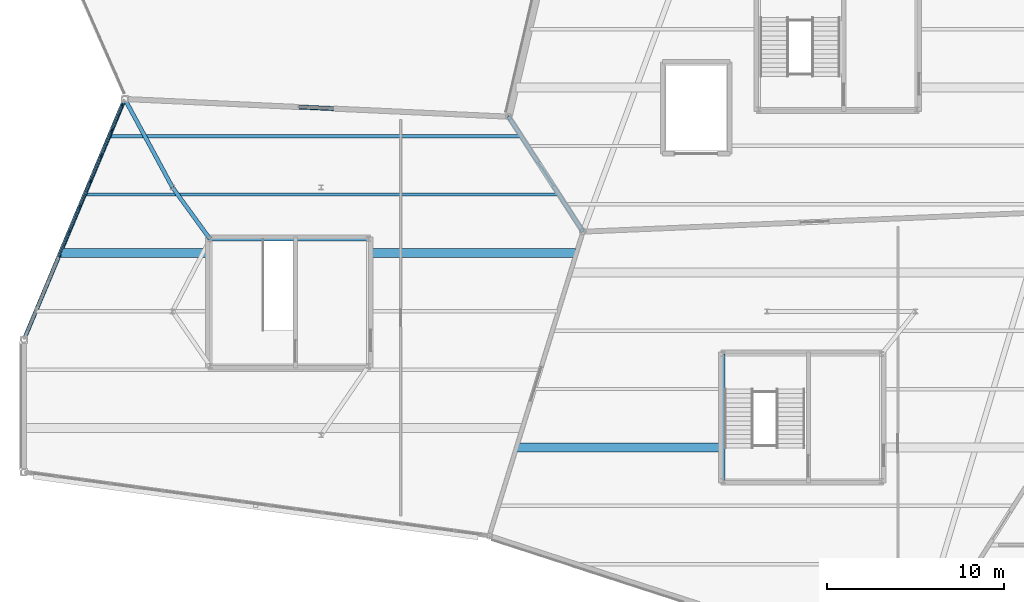
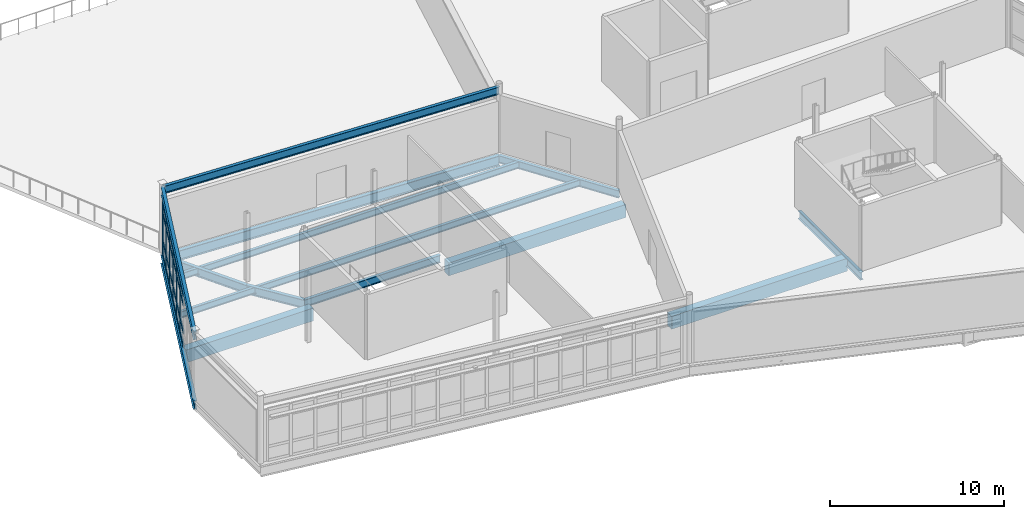
# One storey, part 44 of 114: 30 members, 14 beams, 1 element without a shape of its own.
"""IFC4 building model written with IfcOpenShell, lengths in metres."""

from ifc_helpers import new_model, si_unit, direction, frame, origin, origin_2d, place, context, subcontext, project, spatial, rectangle, i_section, extrude, material, material_profile, profile_set, type_object, element, aggregate, save


model = new_model("IFC4")

# Units and contexts
model_context = context("Model", 3, precision=1e-05, world=origin(), true_north=direction((0.0, 1.0)))
body_context = subcontext(model_context, "Body", "Model", "MODEL_VIEW")
ifc_project = project(units=[si_unit("LENGTHUNIT", "METRE"), si_unit("AREAUNIT", "SQUARE_METRE"), si_unit("VOLUMEUNIT", "CUBIC_METRE"), si_unit("PLANEANGLEUNIT", "RADIAN"), si_unit("MASSUNIT", "GRAM", prefix="KILO")], contexts=[model_context])

# Site, building, storey
site_placement = place(None, origin())
site = spatial("IfcSite", under=ifc_project, at=site_placement, CompositionType="ELEMENT")
building_placement = place(site_placement, origin())
building = spatial("IfcBuilding", under=site, at=building_placement, Name="Tameran Prism Museum", CompositionType="ELEMENT")
storey_placement = place(building_placement, frame((0.0, 0.0, 10.199951171875)))
storey = spatial("IfcBuildingStorey", under=building, at=storey_placement, Name="L02", CompositionType="ELEMENT", Elevation=10.199951171875)

# Beams
ifc_material_1 = material(Name="Steel Grade 300PLUS (300 MPa)", Category="steel")
ifc_material_profile_1 = material_profile(ifc_material_1, i_section(OverallWidth=0.19091796875, OverallDepth=0.4599609375, WebThickness=0.010009765625, FlangeThickness=0.01611328125, FilletRadius=0.011474609375, at=origin_2d()))
ifc_profile_set_1 = profile_set([ifc_material_profile_1])
beam_type_1 = type_object("IfcBeamType", Name="BM-J460A", PredefinedType="JOIST", material=ifc_profile_set_1)
beam_1_placement = place(storey_placement, frame((3.47998046875, 83.60009765625, -0.489990234375), z_axis=(1.0, 0.0, 0.0), x_axis=(0.0, 1.0, 0.0)))
element("IfcBeam", 1, at=beam_1_placement, inside=storey, type_object=beam_type_1, Name="Floor Beam BM-0931", PredefinedType="JOIST", context=body_context, shape_type="SweptSolid", body=[
    extrude(i_section(OverallWidth=0.19091796875, OverallDepth=0.4599609375, WebThickness=0.010009765625, FlangeThickness=0.01611328125, FilletRadius=0.011474609375, at=origin_2d()), origin(), (0.0, 0.0, 1.0), 26.715087890625),
])
beam_2_placement = place(storey_placement, frame((4.863037109375, 86.89990234375, -0.489990234375), z_axis=(1.0, 0.0, 0.0), x_axis=(0.0, 1.0, 0.0)))
element("IfcBeam", 2, at=beam_2_placement, inside=storey, type_object=beam_type_1, Name="Floor Beam BM-0932", PredefinedType="JOIST", context=body_context, shape_type="SweptSolid", body=[
    extrude(i_section(OverallWidth=0.19091796875, OverallDepth=0.4599609375, WebThickness=0.010009765625, FlangeThickness=0.01611328125, FilletRadius=0.011474609375, at=origin_2d()), origin(), (0.0, 0.0, 1.0), 23.199951171875),
])
ifc_material_2 = material(Name="Concrete N40 (40 MPa)", Category="concrete")
ifc_material_profile_2 = material_profile(ifc_material_2, rectangle(XDim=0.5, YDim=0.89990234375, at=origin_2d()))
ifc_profile_set_2 = profile_set([ifc_material_profile_2])
beam_type_2 = type_object("IfcBeamType", Name="BM-RC900", PredefinedType="BEAM", material=ifc_profile_set_2)
beam_3_placement = place(storey_placement, frame((27.883056640625, 69.300048828125, -0.7099609375), z_axis=(1.0, 0.0, 0.0), x_axis=(0.0, 1.0, 0.0)))
element("IfcBeam", 3, at=beam_3_placement, inside=storey, type_object=beam_type_2, Name="Floor Beam BM-0908", PredefinedType="BEAM", context=body_context, shape_type="SweptSolid", body=[
    extrude(rectangle(XDim=0.5, YDim=0.89990234375, at=origin_2d()), origin(), (0.0, 0.0, 1.0), 11.636962890625),
])
beam_4_placement = place(storey_placement, frame((2.096923828125, 80.300048828125, -0.7099609375), z_axis=(1.0, 0.0, 0.0), x_axis=(0.0, 1.0, 0.0)))
element("IfcBeam", 4, at=beam_4_placement, inside=storey, type_object=beam_type_2, Name="Floor Beam BM-0929", PredefinedType="BEAM", context=body_context, shape_type="SweptSolid", body=[
    extrude(rectangle(XDim=0.5, YDim=0.89990234375, at=origin_2d()), origin(), (0.0, 0.0, 1.0), 8.423095703125),
])
beam_5_placement = place(storey_placement, frame((19.47998046875, 80.300048828125, -0.7099609375), z_axis=(1.0, 0.0, 0.0), x_axis=(0.0, 1.0, 0.0)))
element("IfcBeam", 5, at=beam_5_placement, inside=storey, type_object=beam_type_2, Name="Floor Beam BM-0930", PredefinedType="BEAM", context=body_context, shape_type="SweptSolid", body=[
    extrude(rectangle(XDim=0.5, YDim=0.89990234375, at=origin_2d()), origin(), (0.0, 0.0, 1.0), 11.7080078125),
])
ifc_material_3 = material(Name="Steel Grade 300PLUS (300 MPa)", Category="steel")
ifc_material_profile_3 = material_profile(ifc_material_3, i_section(OverallWidth=0.208984375, OverallDepth=0.528076171875, WebThickness=0.009521484375, FlangeThickness=0.01318359375, FilletRadius=0.013916015625, at=origin_2d()))
ifc_profile_set_3 = profile_set([ifc_material_profile_3])
beam_type_3 = type_object("IfcBeamType", Name="BM-SP530B", PredefinedType="SPANDREL", material=ifc_profile_set_3)
beam_6_placement = place(storey_placement, frame((27.39990234375, 88.0, -0.52392578125), z_axis=(0.542733189748, -0.839905164138, 0.0), x_axis=(0.839905164138, 0.542733189748, 0.0)))
element("IfcBeam", 6, at=beam_6_placement, inside=storey, type_object=beam_type_3, Name="Perimeter Spandrel SP-0738", PredefinedType="SPANDREL", context=body_context, shape_type="SweptSolid", body=[
    extrude(i_section(OverallWidth=0.208984375, OverallDepth=0.528076171875, WebThickness=0.009521484375, FlangeThickness=0.01318359375, FilletRadius=0.013916015625, at=origin_2d()), origin(), (0.0, 0.0, 1.0), 7.739013671875),
])
beam_7_placement = place(storey_placement, frame((27.39990234375, 88.0, 4.2861328125), z_axis=(-0.998939864331, 0.046034198714, 0.0), x_axis=(-0.046034198714, -0.998939864331, 0.0)))
element("IfcBeam", 7, at=beam_7_placement, inside=storey, type_object=beam_type_3, Name="Roof Ring Beam RB-0746", PredefinedType="SPANDREL", context=body_context, shape_type="SweptSolid", body=[
    extrude(i_section(OverallWidth=0.208984375, OverallDepth=0.528076171875, WebThickness=0.009521484375, FlangeThickness=0.01318359375, FilletRadius=0.013916015625, at=origin_2d()), origin(), (0.0, 0.0, 1.0), 21.722900390625),
])
beam_8_placement = place(storey_placement, frame((5.699951171875, 89.0, 4.2861328125), z_axis=(-0.386535452216, -0.922274549242, 0.0), x_axis=(0.922274549242, -0.386535452216, 0.0)))
element("IfcBeam", 8, at=beam_8_placement, inside=storey, type_object=beam_type_3, Name="Roof Ring Beam RB-0747", PredefinedType="SPANDREL", context=body_context, shape_type="SweptSolid", body=[
    extrude(i_section(OverallWidth=0.208984375, OverallDepth=0.528076171875, WebThickness=0.009521484375, FlangeThickness=0.01318359375, FilletRadius=0.013916015625, at=origin_2d()), origin(), (0.0, 0.0, 1.0), 14.746337890625),
])
beam_9_placement = place(storey_placement, frame((39.52001953125, 74.580078125, -0.52392578125), z_axis=(0.0, -1.0, 0.0), x_axis=(1.0, 0.0, 0.0)))
element("IfcBeam", 9, at=beam_9_placement, inside=storey, type_object=beam_type_3, Name="Core Ring Beam CTB-0784", PredefinedType="SPANDREL", context=body_context, shape_type="SweptSolid", body=[
    extrude(i_section(OverallWidth=0.208984375, OverallDepth=0.528076171875, WebThickness=0.009521484375, FlangeThickness=0.01318359375, FilletRadius=0.013916015625, at=origin_2d()), origin(), (0.0, 0.0, 1.0), 7.16015625),
])
beam_10_placement = place(storey_placement, frame((19.47998046875, 81.080078125, -0.52392578125), z_axis=(-1.0, 0.0, 0.0), x_axis=(0.0, -1.0, 0.0)))
element("IfcBeam", 10, at=beam_10_placement, inside=storey, type_object=beam_type_3, Name="Core Ring Beam CTB-0791", PredefinedType="SPANDREL", context=body_context, shape_type="SweptSolid", body=[
    extrude(i_section(OverallWidth=0.208984375, OverallDepth=0.528076171875, WebThickness=0.009521484375, FlangeThickness=0.01318359375, FilletRadius=0.013916015625, at=origin_2d()), origin(), (0.0, 0.0, 1.0), 8.9599609375),
])
ifc_material_4 = material(Name="Steel Grade 300PLUS (300 MPa)", Category="steel")
ifc_material_profile_4 = material_profile(ifc_material_4, i_section(OverallWidth=0.22802734375, OverallDepth=0.60205078125, WebThickness=0.010498046875, FlangeThickness=0.014892578125, FilletRadius=0.013916015625, at=origin_2d()))
ifc_profile_set_4 = profile_set([ifc_material_profile_4])
beam_type_4 = type_object("IfcBeamType", Name="BM-SP610", PredefinedType="SPANDREL", material=ifc_profile_set_4)
beam_11_placement = place(storey_placement, frame((5.699951171875, 89.0, -0.56103515625), z_axis=(-0.386535452216, -0.922274549242, 0.0), x_axis=(0.922274549242, -0.386535452216, 0.0)))
element("IfcBeam", 11, at=beam_11_placement, inside=storey, type_object=beam_type_4, Name="Perimeter Spandrel SP-0743", PredefinedType="SPANDREL", context=body_context, shape_type="SweptSolid", body=[
    extrude(i_section(OverallWidth=0.22802734375, OverallDepth=0.60205078125, WebThickness=0.010498046875, FlangeThickness=0.014892578125, FilletRadius=0.013916015625, at=origin_2d()), origin(), (0.0, 0.0, 1.0), 14.746337890625),
])
ifc_material_5 = material(Name="Steel Grade 350 (350 MPa)", Category="steel")
ifc_material_profile_5 = material_profile(ifc_material_5, i_section(OverallWidth=0.25, OverallDepth=0.699951171875, WebThickness=0.010009765625, FlangeThickness=0.02001953125, at=origin_2d()))
ifc_profile_set_5 = profile_set([ifc_material_profile_5])
beam_type_5 = type_object("IfcBeamType", Name="BM-SP700", PredefinedType="SPANDREL", material=ifc_profile_set_5)
beam_12_placement = place(storey_placement, frame((27.39990234375, 88.0, -0.60986328125), z_axis=(-0.998939864331, 0.046034198714, 0.0), x_axis=(-0.046034198714, -0.998939864331, 0.0)))
element("IfcBeam", 12, at=beam_12_placement, inside=storey, type_object=beam_type_5, Name="Perimeter Spandrel SP-0742", PredefinedType="SPANDREL", context=body_context, shape_type="SweptSolid", body=[
    extrude(i_section(OverallWidth=0.25, OverallDepth=0.699951171875, WebThickness=0.010009765625, FlangeThickness=0.02001953125, at=origin_2d()), origin(), (0.0, 0.0, 1.0), 21.722900390625),
])
ifc_material_6 = material(Name="Steel Grade 300PLUS (300 MPa)", Category="steel")
ifc_material_profile_6 = material_profile(ifc_material_6, i_section(OverallWidth=0.22900390625, OverallDepth=0.612060546875, WebThickness=0.011962890625, FlangeThickness=0.01953125, FilletRadius=0.013916015625, at=origin_2d()))
ifc_profile_set_6 = profile_set([ifc_material_profile_6])
beam_type_6 = type_object("IfcBeamType", Name="BM-UB610A", PredefinedType="BEAM", material=ifc_profile_set_6)
beam_13_placement = place(storey_placement, frame((8.39990234375, 84.0, -0.56591796875), z_axis=(0.58754394492, -0.809192259471, 0.0), x_axis=(0.809192259471, 0.58754394492, 0.0)))
element("IfcBeam", 13, at=beam_13_placement, inside=storey, type_object=beam_type_6, Name="Frame Tie Girder FG-1353", PredefinedType="BEAM", context=body_context, shape_type="SweptSolid", body=[
    extrude(i_section(OverallWidth=0.22900390625, OverallDepth=0.612060546875, WebThickness=0.011962890625, FlangeThickness=0.01953125, FilletRadius=0.013916015625, at=origin_2d()), origin(), (0.0, 0.0, 1.0), 3.6083984375),
])
beam_14_placement = place(storey_placement, frame((8.39990234375, 84.0, -0.56591796875), z_axis=(-0.47514226184, 0.879908990188, 0.0), x_axis=(-0.879908990188, -0.47514226184, 0.0)))
element("IfcBeam", 14, at=beam_14_placement, inside=storey, type_object=beam_type_6, Name="Frame Tie Girder FG-1354", PredefinedType="BEAM", context=body_context, shape_type="SweptSolid", body=[
    extrude(i_section(OverallWidth=0.22900390625, OverallDepth=0.612060546875, WebThickness=0.011962890625, FlangeThickness=0.01953125, FilletRadius=0.013916015625, at=origin_2d()), origin(), (0.0, 0.0, 1.0), 5.682373046875),
])

# Curtain wall, members
ifc_material_7 = material(Name="Anodised Aluminium 6063-T6 and Cyclone Solar Glass", Category="aluminium")
curtain_wall_type = type_object("IfcCurtainWallType", Name="CW-FAC-1405x362", PredefinedType="USERDEFINED", material=ifc_material_7)
curtain_wall_placement = place(storey_placement, origin())
curtain_wall = element("IfcCurtainWall", 15, at=curtain_wall_placement, inside=storey, type_object=curtain_wall_type, Name="Unitised Curtain Wall CW-126", ObjectType="UNITISED CURTAIN WALL", PredefinedType="USERDEFINED")
ifc_material_8 = material(Name="Anodised Aluminium Alloy 6063-T6", Category="aluminium")
ifc_material_profile_7 = material_profile(ifc_material_8, rectangle(XDim=0.080078125, YDim=0.219970703125, at=origin_2d()))
ifc_profile_set_7 = profile_set([ifc_material_profile_7])
member_type_1 = type_object("IfcMemberType", Name="CW-MUL-D", PredefinedType="MULLION", material=ifc_profile_set_7)
member_1_placement = place(storey_placement, frame((2.54833984375, 81.480224609375, 0.0), z_axis=(0.0, 0.0, 1.0), x_axis=(-0.922253342824, 0.386586046891, 0.0)))
member_1 = element("IfcMember", 16, at=member_1_placement, type_object=member_type_1, Name="CW-126 mullion 5", PredefinedType="MULLION", context=body_context, shape_type="SweptSolid", body=[
    extrude(rectangle(XDim=0.080078125, YDim=0.219970703125, at=origin_2d()), origin(), (0.0, 0.0, 1.0), 3.6201171875),
])
member_2_placement = place(storey_placement, frame((3.151611328125, 82.919677734375, 0.0), z_axis=(0.0, 0.0, 1.0), x_axis=(-0.922253342824, 0.386586046891, 0.0)))
member_2 = element("IfcMember", 17, at=member_2_placement, type_object=member_type_1, Name="CW-126 mullion 6", PredefinedType="MULLION", context=body_context, shape_type="SweptSolid", body=[
    extrude(rectangle(XDim=0.080078125, YDim=0.219970703125, at=origin_2d()), origin(), (0.0, 0.0, 1.0), 3.6201171875),
])
member_3_placement = place(storey_placement, frame((3.7548828125, 84.35888671875, 0.0), z_axis=(0.0, 0.0, 1.0), x_axis=(-0.922253342824, 0.386586046891, 0.0)))
member_3 = element("IfcMember", 18, at=member_3_placement, type_object=member_type_1, Name="CW-126 mullion 7", PredefinedType="MULLION", context=body_context, shape_type="SweptSolid", body=[
    extrude(rectangle(XDim=0.080078125, YDim=0.219970703125, at=origin_2d()), origin(), (0.0, 0.0, 1.0), 3.6201171875),
])
member_4_placement = place(storey_placement, frame((4.3583984375, 85.79833984375, 0.0), z_axis=(0.0, 0.0, 1.0), x_axis=(-0.922253342824, 0.386586046891, 0.0)))
member_4 = element("IfcMember", 19, at=member_4_placement, type_object=member_type_1, Name="CW-126 mullion 8", PredefinedType="MULLION", context=body_context, shape_type="SweptSolid", body=[
    extrude(rectangle(XDim=0.080078125, YDim=0.219970703125, at=origin_2d()), origin(), (0.0, 0.0, 1.0), 3.6201171875),
])
member_5_placement = place(storey_placement, frame((4.961669921875, 87.237548828125, 0.0), z_axis=(0.0, 0.0, 1.0), x_axis=(-0.922253342824, 0.386586046891, 0.0)))
member_5 = element("IfcMember", 20, at=member_5_placement, type_object=member_type_1, Name="CW-126 mullion 9", PredefinedType="MULLION", context=body_context, shape_type="SweptSolid", body=[
    extrude(rectangle(XDim=0.080078125, YDim=0.219970703125, at=origin_2d()), origin(), (0.0, 0.0, 1.0), 3.6201171875),
])
member_6_placement = place(storey_placement, frame((5.549560546875, 88.64013671875, 0.0), z_axis=(0.0, 0.0, 1.0), x_axis=(-0.922253342824, 0.386586046891, 0.0)))
member_6 = element("IfcMember", 21, at=member_6_placement, type_object=member_type_1, Name="CW-126 mullion 10", PredefinedType="MULLION", context=body_context, shape_type="SweptSolid", body=[
    extrude(rectangle(XDim=0.080078125, YDim=0.219970703125, at=origin_2d()), origin(), (0.0, 0.0, 1.0), 3.6201171875),
])
ifc_material_9 = material(Name="Anodised Aluminium Alloy 6063-T6", Category="aluminium")
ifc_material_profile_8 = material_profile(ifc_material_9, rectangle(XDim=0.080078125, YDim=0.195068359375, at=origin_2d()))
ifc_profile_set_8 = profile_set([ifc_material_profile_8])
member_type_2 = type_object("IfcMemberType", Name="CW-TRN-D", PredefinedType="USERDEFINED", material=ifc_profile_set_8)
member_7_placement = place(storey_placement, frame((1.96044921875, 80.077880859375, 0.0400390625), z_axis=(0.386663346512, 0.922220936904, 0.0), x_axis=(-0.922220936904, 0.386663346512, 0.0)))
member_7 = element("IfcMember", 22, at=member_7_placement, type_object=member_type_2, Name="CW-126 transom 4.1", ObjectType="TRANSOM", PredefinedType="USERDEFINED", context=body_context, shape_type="SweptSolid", body=[
    extrude(rectangle(XDim=0.080078125, YDim=0.195068359375, at=origin_2d()), origin(), (0.0, 0.0, 1.0), 1.480712890625),
])
member_8_placement = place(storey_placement, frame((1.96044921875, 80.077880859375, 1.0), z_axis=(0.386663346512, 0.922220936904, 0.0), x_axis=(-0.922220936904, 0.386663346512, 0.0)))
member_8 = element("IfcMember", 23, at=member_8_placement, type_object=member_type_2, Name="CW-126 transom 4.2", ObjectType="TRANSOM", PredefinedType="USERDEFINED", context=body_context, shape_type="SweptSolid", body=[
    extrude(rectangle(XDim=0.080078125, YDim=0.195068359375, at=origin_2d()), origin(), (0.0, 0.0, 1.0), 1.480712890625),
])
member_9_placement = place(storey_placement, frame((1.96044921875, 80.077880859375, 2.93994140625), z_axis=(0.386663346512, 0.922220936904, 0.0), x_axis=(-0.922220936904, 0.386663346512, 0.0)))
member_9 = element("IfcMember", 24, at=member_9_placement, type_object=member_type_2, Name="CW-126 transom 4.3", ObjectType="TRANSOM", PredefinedType="USERDEFINED", context=body_context, shape_type="SweptSolid", body=[
    extrude(rectangle(XDim=0.080078125, YDim=0.195068359375, at=origin_2d()), origin(), (0.0, 0.0, 1.0), 1.480712890625),
])
member_10_placement = place(storey_placement, frame((1.96044921875, 80.077880859375, 3.580078125), z_axis=(0.386663346512, 0.922220936904, 0.0), x_axis=(-0.922220936904, 0.386663346512, 0.0)))
member_10 = element("IfcMember", 25, at=member_10_placement, type_object=member_type_2, Name="CW-126 transom 4.4", ObjectType="TRANSOM", PredefinedType="USERDEFINED", context=body_context, shape_type="SweptSolid", body=[
    extrude(rectangle(XDim=0.080078125, YDim=0.195068359375, at=origin_2d()), origin(), (0.0, 0.0, 1.0), 1.480712890625),
])
member_11_placement = place(storey_placement, frame((2.563720703125, 81.517333984375, 0.0400390625), z_axis=(0.386663346512, 0.922220936904, 0.0), x_axis=(-0.922220936904, 0.386663346512, 0.0)))
member_11 = element("IfcMember", 26, at=member_11_placement, type_object=member_type_2, Name="CW-126 transom 5.1", ObjectType="TRANSOM", PredefinedType="USERDEFINED", context=body_context, shape_type="SweptSolid", body=[
    extrude(rectangle(XDim=0.080078125, YDim=0.195068359375, at=origin_2d()), origin(), (0.0, 0.0, 1.0), 1.480712890625),
])
member_12_placement = place(storey_placement, frame((2.563720703125, 81.517333984375, 1.0), z_axis=(0.386663346512, 0.922220936904, 0.0), x_axis=(-0.922220936904, 0.386663346512, 0.0)))
member_12 = element("IfcMember", 27, at=member_12_placement, type_object=member_type_2, Name="CW-126 transom 5.2", ObjectType="TRANSOM", PredefinedType="USERDEFINED", context=body_context, shape_type="SweptSolid", body=[
    extrude(rectangle(XDim=0.080078125, YDim=0.195068359375, at=origin_2d()), origin(), (0.0, 0.0, 1.0), 1.480712890625),
])
member_13_placement = place(storey_placement, frame((2.563720703125, 81.517333984375, 2.93994140625), z_axis=(0.386663346512, 0.922220936904, 0.0), x_axis=(-0.922220936904, 0.386663346512, 0.0)))
member_13 = element("IfcMember", 28, at=member_13_placement, type_object=member_type_2, Name="CW-126 transom 5.3", ObjectType="TRANSOM", PredefinedType="USERDEFINED", context=body_context, shape_type="SweptSolid", body=[
    extrude(rectangle(XDim=0.080078125, YDim=0.195068359375, at=origin_2d()), origin(), (0.0, 0.0, 1.0), 1.480712890625),
])
member_14_placement = place(storey_placement, frame((2.563720703125, 81.517333984375, 3.580078125), z_axis=(0.386663346512, 0.922220936904, 0.0), x_axis=(-0.922220936904, 0.386663346512, 0.0)))
member_14 = element("IfcMember", 29, at=member_14_placement, type_object=member_type_2, Name="CW-126 transom 5.4", ObjectType="TRANSOM", PredefinedType="USERDEFINED", context=body_context, shape_type="SweptSolid", body=[
    extrude(rectangle(XDim=0.080078125, YDim=0.195068359375, at=origin_2d()), origin(), (0.0, 0.0, 1.0), 1.480712890625),
])
member_15_placement = place(storey_placement, frame((3.167236328125, 82.95654296875, 0.0400390625), z_axis=(0.386523096908, 0.922279727391, 0.0), x_axis=(-0.922279727391, 0.386523096908, 0.0)))
member_15 = element("IfcMember", 30, at=member_15_placement, type_object=member_type_2, Name="CW-126 transom 6.1", ObjectType="TRANSOM", PredefinedType="USERDEFINED", context=body_context, shape_type="SweptSolid", body=[
    extrude(rectangle(XDim=0.080078125, YDim=0.195068359375, at=origin_2d()), origin(), (0.0, 0.0, 1.0), 1.48046875),
])
member_16_placement = place(storey_placement, frame((3.167236328125, 82.95654296875, 1.0), z_axis=(0.386523096908, 0.922279727391, 0.0), x_axis=(-0.922279727391, 0.386523096908, 0.0)))
member_16 = element("IfcMember", 31, at=member_16_placement, type_object=member_type_2, Name="CW-126 transom 6.2", ObjectType="TRANSOM", PredefinedType="USERDEFINED", context=body_context, shape_type="SweptSolid", body=[
    extrude(rectangle(XDim=0.080078125, YDim=0.195068359375, at=origin_2d()), origin(), (0.0, 0.0, 1.0), 1.48046875),
])
member_17_placement = place(storey_placement, frame((3.167236328125, 82.95654296875, 2.93994140625), z_axis=(0.386523096908, 0.922279727391, 0.0), x_axis=(-0.922279727391, 0.386523096908, 0.0)))
member_17 = element("IfcMember", 32, at=member_17_placement, type_object=member_type_2, Name="CW-126 transom 6.3", ObjectType="TRANSOM", PredefinedType="USERDEFINED", context=body_context, shape_type="SweptSolid", body=[
    extrude(rectangle(XDim=0.080078125, YDim=0.195068359375, at=origin_2d()), origin(), (0.0, 0.0, 1.0), 1.48046875),
])
member_18_placement = place(storey_placement, frame((3.167236328125, 82.95654296875, 3.580078125), z_axis=(0.386523096908, 0.922279727391, 0.0), x_axis=(-0.922279727391, 0.386523096908, 0.0)))
member_18 = element("IfcMember", 33, at=member_18_placement, type_object=member_type_2, Name="CW-126 transom 6.4", ObjectType="TRANSOM", PredefinedType="USERDEFINED", context=body_context, shape_type="SweptSolid", body=[
    extrude(rectangle(XDim=0.080078125, YDim=0.195068359375, at=origin_2d()), origin(), (0.0, 0.0, 1.0), 1.48046875),
])
member_19_placement = place(storey_placement, frame((3.7705078125, 84.39599609375, 0.0400390625), z_axis=(0.386523096908, 0.922279727391, 0.0), x_axis=(-0.922279727391, 0.386523096908, 0.0)))
member_19 = element("IfcMember", 34, at=member_19_placement, type_object=member_type_2, Name="CW-126 transom 7.1", ObjectType="TRANSOM", PredefinedType="USERDEFINED", context=body_context, shape_type="SweptSolid", body=[
    extrude(rectangle(XDim=0.080078125, YDim=0.195068359375, at=origin_2d()), origin(), (0.0, 0.0, 1.0), 1.48046875),
])
member_20_placement = place(storey_placement, frame((3.7705078125, 84.39599609375, 1.0), z_axis=(0.386523096908, 0.922279727391, 0.0), x_axis=(-0.922279727391, 0.386523096908, 0.0)))
member_20 = element("IfcMember", 35, at=member_20_placement, type_object=member_type_2, Name="CW-126 transom 7.2", ObjectType="TRANSOM", PredefinedType="USERDEFINED", context=body_context, shape_type="SweptSolid", body=[
    extrude(rectangle(XDim=0.080078125, YDim=0.195068359375, at=origin_2d()), origin(), (0.0, 0.0, 1.0), 1.48046875),
])
member_21_placement = place(storey_placement, frame((3.7705078125, 84.39599609375, 2.93994140625), z_axis=(0.386523096908, 0.922279727391, 0.0), x_axis=(-0.922279727391, 0.386523096908, 0.0)))
member_21 = element("IfcMember", 36, at=member_21_placement, type_object=member_type_2, Name="CW-126 transom 7.3", ObjectType="TRANSOM", PredefinedType="USERDEFINED", context=body_context, shape_type="SweptSolid", body=[
    extrude(rectangle(XDim=0.080078125, YDim=0.195068359375, at=origin_2d()), origin(), (0.0, 0.0, 1.0), 1.48046875),
])
member_22_placement = place(storey_placement, frame((3.7705078125, 84.39599609375, 3.580078125), z_axis=(0.386523096908, 0.922279727391, 0.0), x_axis=(-0.922279727391, 0.386523096908, 0.0)))
member_22 = element("IfcMember", 37, at=member_22_placement, type_object=member_type_2, Name="CW-126 transom 7.4", ObjectType="TRANSOM", PredefinedType="USERDEFINED", context=body_context, shape_type="SweptSolid", body=[
    extrude(rectangle(XDim=0.080078125, YDim=0.195068359375, at=origin_2d()), origin(), (0.0, 0.0, 1.0), 1.48046875),
])
member_23_placement = place(storey_placement, frame((4.373779296875, 85.835205078125, 0.0400390625), z_axis=(0.386663346512, 0.922220936904, 0.0), x_axis=(-0.922220936904, 0.386663346512, 0.0)))
member_23 = element("IfcMember", 38, at=member_23_placement, type_object=member_type_2, Name="CW-126 transom 8.1", ObjectType="TRANSOM", PredefinedType="USERDEFINED", context=body_context, shape_type="SweptSolid", body=[
    extrude(rectangle(XDim=0.080078125, YDim=0.195068359375, at=origin_2d()), origin(), (0.0, 0.0, 1.0), 1.480712890625),
])
member_24_placement = place(storey_placement, frame((4.373779296875, 85.835205078125, 1.0), z_axis=(0.386663346512, 0.922220936904, 0.0), x_axis=(-0.922220936904, 0.386663346512, 0.0)))
member_24 = element("IfcMember", 39, at=member_24_placement, type_object=member_type_2, Name="CW-126 transom 8.2", ObjectType="TRANSOM", PredefinedType="USERDEFINED", context=body_context, shape_type="SweptSolid", body=[
    extrude(rectangle(XDim=0.080078125, YDim=0.195068359375, at=origin_2d()), origin(), (0.0, 0.0, 1.0), 1.480712890625),
])
member_25_placement = place(storey_placement, frame((4.373779296875, 85.835205078125, 2.93994140625), z_axis=(0.386663346512, 0.922220936904, 0.0), x_axis=(-0.922220936904, 0.386663346512, 0.0)))
member_25 = element("IfcMember", 40, at=member_25_placement, type_object=member_type_2, Name="CW-126 transom 8.3", ObjectType="TRANSOM", PredefinedType="USERDEFINED", context=body_context, shape_type="SweptSolid", body=[
    extrude(rectangle(XDim=0.080078125, YDim=0.195068359375, at=origin_2d()), origin(), (0.0, 0.0, 1.0), 1.480712890625),
])
member_26_placement = place(storey_placement, frame((4.373779296875, 85.835205078125, 3.580078125), z_axis=(0.386663346512, 0.922220936904, 0.0), x_axis=(-0.922220936904, 0.386663346512, 0.0)))
member_26 = element("IfcMember", 41, at=member_26_placement, type_object=member_type_2, Name="CW-126 transom 8.4", ObjectType="TRANSOM", PredefinedType="USERDEFINED", context=body_context, shape_type="SweptSolid", body=[
    extrude(rectangle(XDim=0.080078125, YDim=0.195068359375, at=origin_2d()), origin(), (0.0, 0.0, 1.0), 1.480712890625),
])
member_27_placement = place(storey_placement, frame((4.97705078125, 87.274658203125, 0.0400390625), z_axis=(0.386708080544, 0.922202179808, 0.0), x_axis=(-0.922202179808, 0.386708080544, 0.0)))
member_27 = element("IfcMember", 42, at=member_27_placement, type_object=member_type_2, Name="CW-126 transom 9.1", ObjectType="TRANSOM", PredefinedType="USERDEFINED", context=body_context, shape_type="SweptSolid", body=[
    extrude(rectangle(XDim=0.080078125, YDim=0.195068359375, at=origin_2d()), origin(), (0.0, 0.0, 1.0), 1.440673828125),
])
member_28_placement = place(storey_placement, frame((4.97705078125, 87.274658203125, 1.0), z_axis=(0.386708080544, 0.922202179808, 0.0), x_axis=(-0.922202179808, 0.386708080544, 0.0)))
member_28 = element("IfcMember", 43, at=member_28_placement, type_object=member_type_2, Name="CW-126 transom 9.2", ObjectType="TRANSOM", PredefinedType="USERDEFINED", context=body_context, shape_type="SweptSolid", body=[
    extrude(rectangle(XDim=0.080078125, YDim=0.195068359375, at=origin_2d()), origin(), (0.0, 0.0, 1.0), 1.440673828125),
])
member_29_placement = place(storey_placement, frame((4.97705078125, 87.274658203125, 2.93994140625), z_axis=(0.386708080544, 0.922202179808, 0.0), x_axis=(-0.922202179808, 0.386708080544, 0.0)))
member_29 = element("IfcMember", 44, at=member_29_placement, type_object=member_type_2, Name="CW-126 transom 9.3", ObjectType="TRANSOM", PredefinedType="USERDEFINED", context=body_context, shape_type="SweptSolid", body=[
    extrude(rectangle(XDim=0.080078125, YDim=0.195068359375, at=origin_2d()), origin(), (0.0, 0.0, 1.0), 1.440673828125),
])
member_30_placement = place(storey_placement, frame((4.97705078125, 87.274658203125, 3.580078125), z_axis=(0.386708080544, 0.922202179808, 0.0), x_axis=(-0.922202179808, 0.386708080544, 0.0)))
member_30 = element("IfcMember", 45, at=member_30_placement, type_object=member_type_2, Name="CW-126 transom 9.4", ObjectType="TRANSOM", PredefinedType="USERDEFINED", context=body_context, shape_type="SweptSolid", body=[
    extrude(rectangle(XDim=0.080078125, YDim=0.195068359375, at=origin_2d()), origin(), (0.0, 0.0, 1.0), 1.440673828125),
])
aggregate(curtain_wall, [member_1, member_2, member_3, member_4, member_5, member_6, member_7, member_8, member_9, member_10, member_11, member_12, member_13, member_14, member_15, member_16, member_17, member_18, member_19, member_20, member_21, member_22, member_23, member_24, member_25, member_26, member_27, member_28, member_29, member_30])

save(model, "model.ifc")
